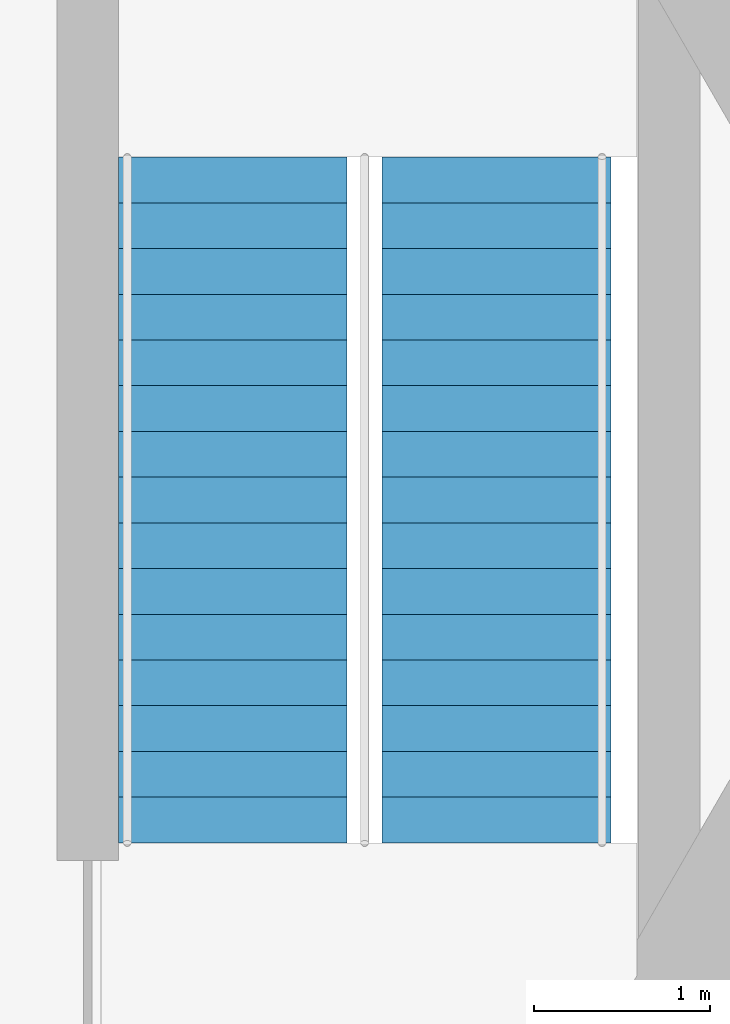
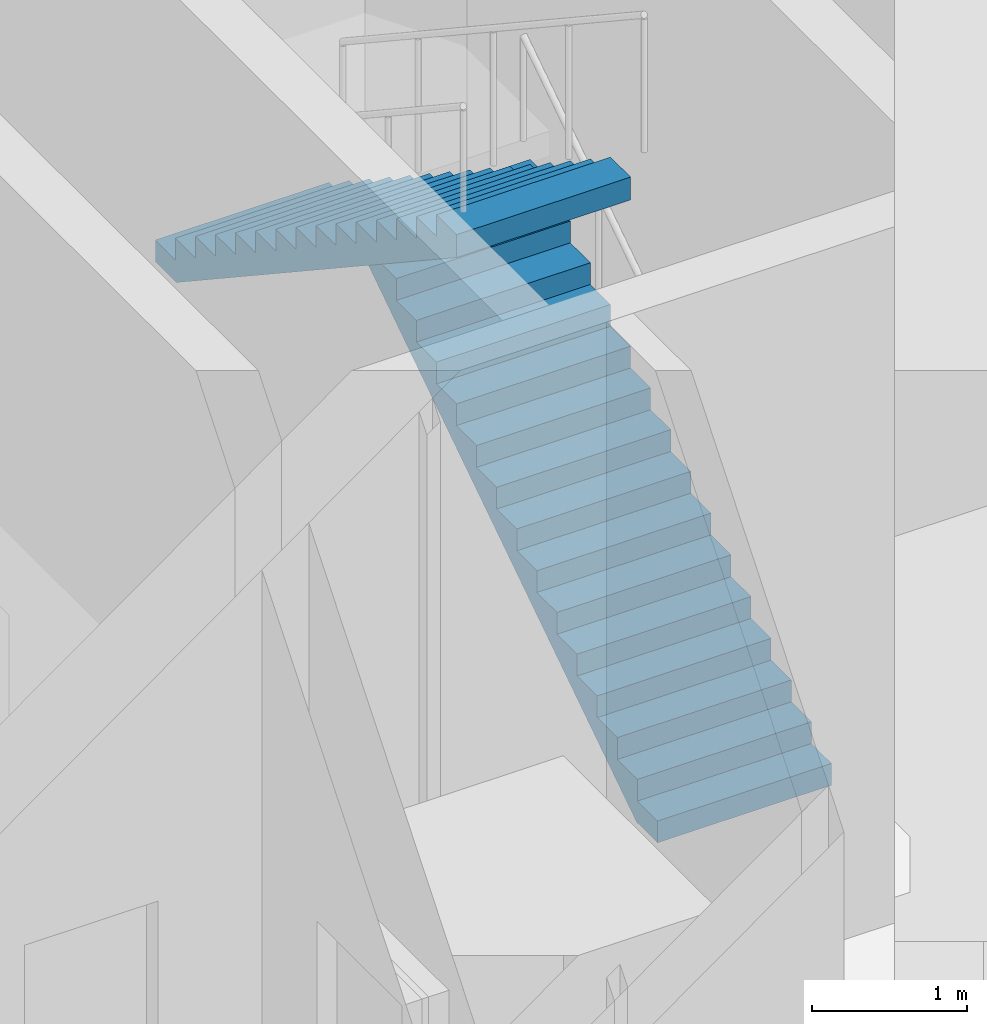
# One storey, part 13 of 18: 2 stair flights, 1 element without a shape of its own.
"""IFC4 building model written with IfcOpenShell, lengths in metres."""

from ifc_helpers import new_model, si_unit, direction, frame, origin, place, context, subcontext, project, spatial, polyline, outline, extrude, material, type_object, element, aggregate, save


model = new_model("IFC4")

# Units and contexts
model_context = context("Model", 3, precision=1e-05, world=origin(), true_north=direction((0.0, 1.0)))
body_context = subcontext(model_context, "Body", "Model", "MODEL_VIEW")
ifc_project = project(units=[si_unit("LENGTHUNIT", "METRE"), si_unit("AREAUNIT", "SQUARE_METRE"), si_unit("VOLUMEUNIT", "CUBIC_METRE"), si_unit("PLANEANGLEUNIT", "RADIAN"), si_unit("MASSUNIT", "GRAM", prefix="KILO")], contexts=[model_context])

# Site, building, storey
site_placement = place(None, origin())
site = spatial("IfcSite", under=ifc_project, at=site_placement, CompositionType="ELEMENT")
building_placement = place(site_placement, origin())
building = spatial("IfcBuilding", under=site, at=building_placement, Name="Kasaneha Research Tower", CompositionType="ELEMENT")
storey_placement = place(building_placement, origin())
storey = spatial("IfcBuildingStorey", under=building, at=storey_placement, Name="L01", CompositionType="ELEMENT", Elevation=0.0)

# Stair, stair flights
ifc_material_1 = material(Name="Concrete Fc24", Category="concrete")
stair_type = type_object("IfcStairType", Name="Half-turn stair 32 risers", PredefinedType="HALF_TURN_STAIR", material=ifc_material_1)
stair_placement = place(storey_placement, origin())
stair = element("IfcStair", 1, at=stair_placement, inside=storey, type_object=stair_type, Name="Stair 1 L01", PredefinedType="HALF_TURN_STAIR")
ifc_material_2 = material(Name="Concrete Fc24", Category="concrete")
stair_flight_type = type_object("IfcStairFlightType", Name="Stair flight 16 risers 171.9", PredefinedType="STRAIGHT", material=ifc_material_2)
stair_flight_1_placement = place(storey_placement, frame((8.824951171875, -2.22509765625, 0.0), z_axis=(0.0, 0.0, 1.0), x_axis=(0.0, 1.0, 0.0)))
stair_flight_1 = element("IfcStairFlight", 2, at=stair_flight_1_placement, type_object=stair_flight_type, Name="ST1-32R flight 1", NumberOfRisers=16, NumberOfTreads=15, PredefinedType="STRAIGHT", RiserHeight=0.171875, TreadLength=0.26, context=body_context, shape_type="SweptSolid", body=[
    extrude(outline(polyline([(0.0, 0.0), (0.0, 0.171875), (0.260009765625, 0.171875), (0.260009765625, 0.34375), (0.52001953125, 0.34375), (0.52001953125, 0.515625), (0.780029296875, 0.515625), (0.780029296875, 0.6875), (1.0400390625, 0.6875), (1.0400390625, 0.859375), (1.300048828125, 0.859375), (1.300048828125, 1.03125), (1.56005859375, 1.03125), (1.56005859375, 1.203125), (1.820068359375, 1.203125), (1.820068359375, 1.375), (2.080078125, 1.375), (2.080078125, 1.546875), (2.340087890625, 1.546875), (2.340087890625, 1.71875), (2.60009765625, 1.71875), (2.60009765625, 1.890625), (2.860107421875, 1.890625), (2.860107421875, 2.0625), (3.1201171875, 2.0625), (3.1201171875, 2.234375), (3.3798828125, 2.234375), (3.3798828125, 2.40625), (3.639892578125, 2.40625), (3.639892578125, 2.578125), (3.89990234375, 2.578125), (3.89990234375, 2.75), (3.89990234375, 2.3984375), (0.271728515625, 0.0), (0.0, 0.0)])), frame((0.0, 0.64990234375, 0.0), z_axis=(0.0, -1.0, 0.0), x_axis=(1.0, 0.0, 0.0)), (0.0, 0.0, 1.0), 1.300048828125),
])
stair_flight_2_placement = place(storey_placement, frame((7.324951171875, 1.675048828125, 2.75), z_axis=(0.0, 0.0, 1.0), x_axis=(0.0, -1.0, 0.0)))
stair_flight_2 = element("IfcStairFlight", 3, at=stair_flight_2_placement, type_object=stair_flight_type, Name="ST1-32R flight 2", NumberOfRisers=16, NumberOfTreads=15, PredefinedType="STRAIGHT", RiserHeight=0.171875, TreadLength=0.26, context=body_context, shape_type="SweptSolid", body=[
    extrude(outline(polyline([(0.0, 0.0), (0.0, 0.171875), (0.260009765625, 0.171875), (0.260009765625, 0.34375), (0.52001953125, 0.34375), (0.52001953125, 0.515625), (0.780029296875, 0.515625), (0.780029296875, 0.6875), (1.0400390625, 0.6875), (1.0400390625, 0.859375), (1.300048828125, 0.859375), (1.300048828125, 1.03125), (1.56005859375, 1.03125), (1.56005859375, 1.203125), (1.820068359375, 1.203125), (1.820068359375, 1.375), (2.080078125, 1.375), (2.080078125, 1.546875), (2.340087890625, 1.546875), (2.340087890625, 1.71875), (2.60009765625, 1.71875), (2.60009765625, 1.890625), (2.860107421875, 1.890625), (2.860107421875, 2.0625), (3.1201171875, 2.0625), (3.1201171875, 2.234375), (3.3798828125, 2.234375), (3.3798828125, 2.40625), (3.639892578125, 2.40625), (3.639892578125, 2.578125), (3.89990234375, 2.578125), (3.89990234375, 2.75), (3.89990234375, 2.3984375), (0.271728515625, 0.0), (0.0, 0.0)])), frame((0.0, 0.64990234375, 0.0), z_axis=(0.0, -1.0, 0.0), x_axis=(1.0, 0.0, 0.0)), (0.0, 0.0, 1.0), 1.300048828125),
])
aggregate(stair, [stair_flight_1, stair_flight_2])

save(model, "model.ifc")
